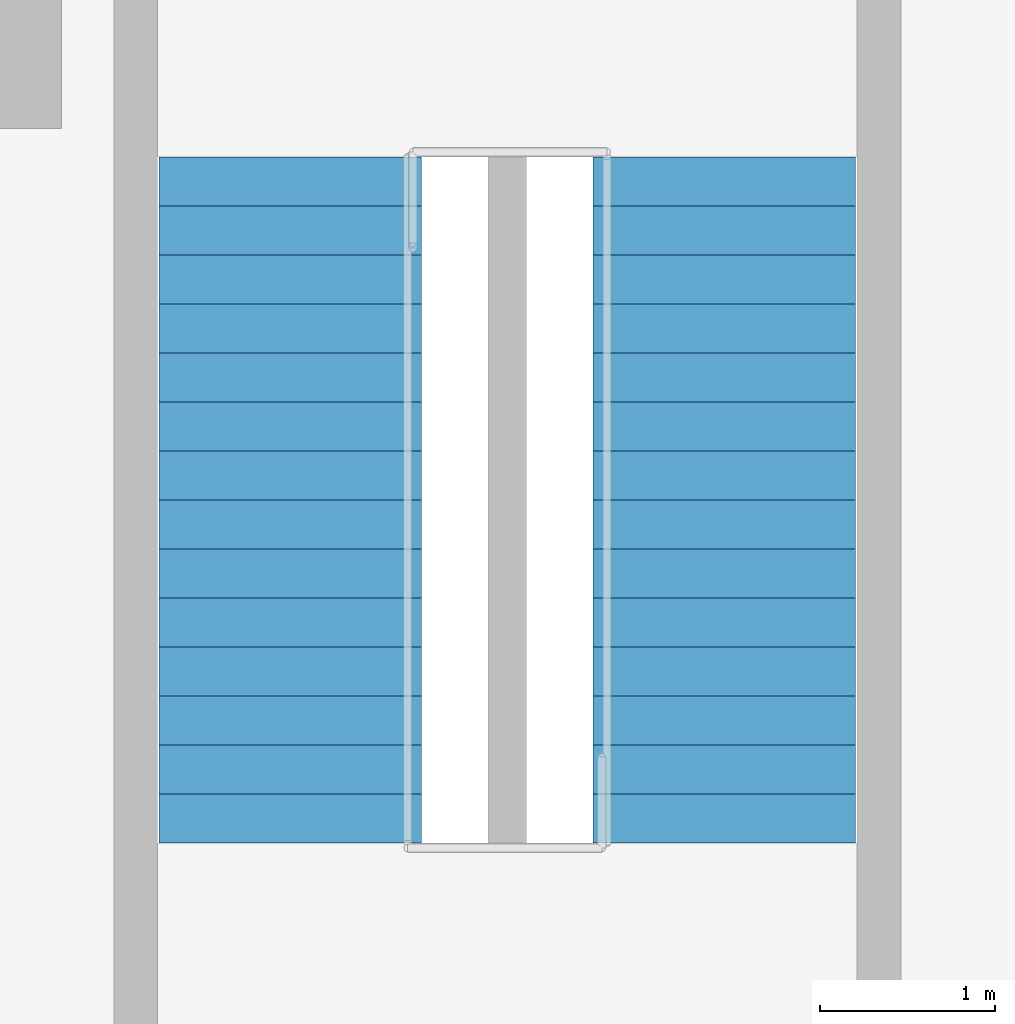
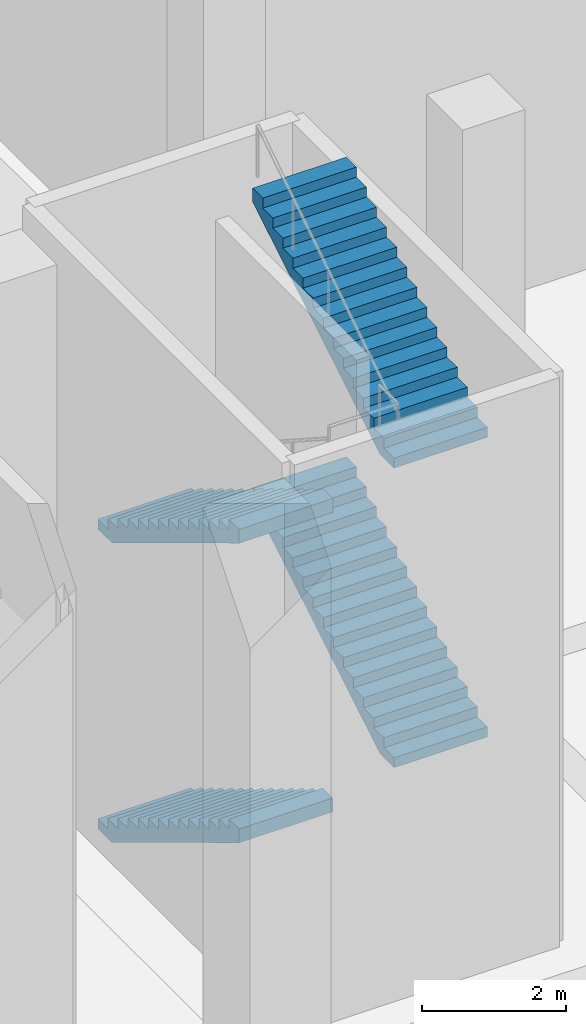
# One storey, part 75 of 80: 4 stair flights, 1 element without a shape of its own.
"""IFC4 building model written with IfcOpenShell, lengths in metres."""

import ifcopenshell
import ifcopenshell.guid

model = None  # the IFC model being written
_history = None  # IfcOwnerHistory: only IFC2X3 demands one
_inside = {}  # id of a spatial element -> (the spatial element, [elements in it])
_under = {}  # id of a project, library or spatial element -> (it, [spatial elements below it])
_declared = {}  # id of a project -> (the project, [libraries it declares])
_typed = {}  # id of a type object -> (the type object, [elements of that type])
_made_of = {}  # id of a material, layer set ... -> (it, [elements and type objects made of it])


def new_model(schema):
    """Start an empty IFC model of exactly this schema.

    Asked for "IFC4X3", IfcOpenShell would pick the latest addendum, in which some entities
    have other attributes; the version numbers below select the first issue.
    IFC2X3 requires an IfcOwnerHistory on every rooted entity: one is made here for all.
    """
    global model, _history
    if schema == "IFC4X3":
        model = ifcopenshell.file(schema_version=(4, 3, 0, 0))
    else:
        model = ifcopenshell.file(schema=schema)
    _inside.clear()
    _under.clear()
    _declared.clear()
    _typed.clear()
    _made_of.clear()
    _history = None
    if model.schema == "IFC2X3":
        org = make("IfcOrganization", Name="unknown")
        user = make(
            "IfcPersonAndOrganization",
            ThePerson=make("IfcPerson", FamilyName="unknown"),
            TheOrganization=org,
        )
        app = make(
            "IfcApplication",
            ApplicationDeveloper=org,
            Version="unknown",
            ApplicationFullName="unknown",
            ApplicationIdentifier="unknown",
        )
        _history = make(
            "IfcOwnerHistory",
            OwningUser=user,
            OwningApplication=app,
            ChangeAction="ADDED",
            CreationDate=0,
        )
    return model


def make(cls, **values):
    """One entity of the class cls with the attributes given. An attribute that is None is left unset."""
    return model.create_entity(
        cls, **{name: value for name, value in values.items() if value is not None}
    )


def rooted(cls, **values):
    """An entity with a GlobalId (a new one), such as an element, a storey or a relation."""
    return make(cls, GlobalId=ifcopenshell.guid.new(), OwnerHistory=_history, **values)


def si_unit(unit_type, name, prefix=None):
    """IfcSIUnit, for example si_unit("LENGTHUNIT", "METRE", prefix="MILLI")."""
    return make("IfcSIUnit", UnitType=unit_type, Prefix=prefix, Name=name)


def assignment(units):
    """IfcUnitAssignment: the units of a project."""
    return None if units is None else make("IfcUnitAssignment", Units=units)


def point(xyz):
    """IfcCartesianPoint."""
    return None if xyz is None else make("IfcCartesianPoint", Coordinates=xyz)


def direction(xyz):
    """IfcDirection."""
    return None if xyz is None else make("IfcDirection", DirectionRatios=xyz)


def frame(location, z_axis=None, x_axis=None):
    """IfcAxis2Placement3D, a coordinate frame: its origin and axes. An axis left out is left unset."""
    return make(
        "IfcAxis2Placement3D",
        Location=point(location),
        Axis=direction(z_axis),
        RefDirection=direction(x_axis),
    )


def origin():
    """The frame at (0, 0, 0) with its axes left unset."""
    return frame((0.0, 0.0, 0.0))


def place(relative_to, where):
    """IfcLocalPlacement: puts the frame where relative to a parent placement (None: the world)."""
    return make(
        "IfcLocalPlacement", PlacementRelTo=relative_to, RelativePlacement=where
    )


def context(
    kind, dimensions, precision=None, world=None, true_north=None, identifier=None
):
    """IfcGeometricRepresentationContext, for example the 3D "Model" context."""
    return make(
        "IfcGeometricRepresentationContext",
        ContextIdentifier=identifier,
        ContextType=kind,
        CoordinateSpaceDimension=dimensions,
        Precision=precision,
        WorldCoordinateSystem=world,
        TrueNorth=true_north,
    )


def subcontext(parent, identifier, kind, view, scale=None):
    """IfcGeometricRepresentationSubContext, for example "Body" below "Model"."""
    return make(
        "IfcGeometricRepresentationSubContext",
        ContextIdentifier=identifier,
        ContextType=kind,
        ParentContext=parent,
        TargetScale=scale,
        TargetView=view,
    )


def project(units=None, contexts=None):
    """IfcProject with its units and contexts."""
    return rooted(
        "IfcProject",
        Name="project",
        RepresentationContexts=contexts,
        UnitsInContext=assignment(units),
    )


def spatial(cls, under=None, at=None, **own):
    """A site, building, storey or space (cls), placed at a placement, below another one or the project."""
    s = rooted(cls, ObjectPlacement=at, **own)
    if under is not None:
        _under.setdefault(under.id(), (under, []))[1].append(s)
    return s


def polyline(points):
    """IfcPolyline through the points."""
    return make("IfcPolyline", Points=[point(p) for p in points])


def outline(outer, holes=None, kind="AREA"):
    """IfcArbitraryClosedProfileDef: a profile drawn as a closed curve; with holes, ...WithVoids."""
    if holes is None:
        return make("IfcArbitraryClosedProfileDef", ProfileType=kind, OuterCurve=outer)
    return make(
        "IfcArbitraryProfileDefWithVoids",
        ProfileType=kind,
        OuterCurve=outer,
        InnerCurves=holes,
    )


def extrude(swept, where, along, depth):
    """IfcExtrudedAreaSolid: the profile swept, set in the frame where, extruded along a direction by depth."""
    return make(
        "IfcExtrudedAreaSolid",
        SweptArea=swept,
        Position=where,
        ExtrudedDirection=direction(along),
        Depth=depth,
    )


def shape(context_of_items, identifier, shape_type, items):
    """IfcShapeRepresentation: the items that make up one representation, for example the "Body"."""
    return make(
        "IfcShapeRepresentation",
        ContextOfItems=context_of_items,
        RepresentationIdentifier=identifier,
        RepresentationType=shape_type,
        Items=items,
    )


def material(Name=None, Category=None):
    """IfcMaterial."""
    return make("IfcMaterial", Name=Name, Category=Category)


def made_of(thing, what):
    """Note that an element or type object is made of a material, layer set ...; save() writes the relation."""
    if what is not None:
        _made_of.setdefault(what.id(), (what, []))[1].append(thing)
    return thing


def type_object(cls, material=None, **own):
    """A type object (cls), such as IfcWallType, which elements share."""
    return made_of(rooted(cls, **own), material)


def element(
    cls,
    number,
    at=None,
    inside=None,
    cuts=None,
    type_object=None,
    material=None,
    context=None,
    identifier="Body",
    shape_type=None,
    held_by="IfcProductDefinitionShape",
    body=None,
    shapes=None,
    **own,
):
    """One element of the class cls, such as IfcWall. Its Tag is "e" and its number.

    at: its placement. inside: the storey or other place that contains it. cuts: it is an
    opening in that element (IfcRelVoidsElement). A single representation is given by context,
    identifier, shape_type and body (its items); several are given by shapes. held_by: the class
    of the entity that holds the representations. save() writes the other relations.
    """
    e = rooted(cls, Tag="e%d" % number, ObjectPlacement=at, **own)
    if body is not None:
        shapes = [shape(context, identifier, shape_type, body)]
    if shapes is not None:
        e.Representation = make(held_by, Representations=shapes)
    if inside is not None:
        _inside.setdefault(inside.id(), (inside, []))[1].append(e)
    if cuts is not None:
        rooted(
            "IfcRelVoidsElement", RelatingBuildingElement=cuts, RelatedOpeningElement=e
        )
    if type_object is not None:
        _typed.setdefault(type_object.id(), (type_object, []))[1].append(e)
    return made_of(e, material)


def aggregate(whole, parts):
    """IfcRelAggregates: a whole, such as a stair, and the parts it consists of."""
    return rooted("IfcRelAggregates", RelatingObject=whole, RelatedObjects=parts)


def save(model, path):
    """Write the relations noted so far, then the file.

    IfcRelAggregates (storeys below a building ...), IfcRelContainedInSpatialStructure (elements
    in a storey), IfcRelDefinesByType, IfcRelAssociatesMaterial and IfcRelDeclares: one each for
    every whole, place, type object, material and project.
    """
    for whole, parts in _under.values():
        aggregate(whole, parts)
    for where, things in _inside.values():
        rooted(
            "IfcRelContainedInSpatialStructure",
            RelatedElements=things,
            RelatingStructure=where,
        )
    for kind, things in _typed.values():
        rooted("IfcRelDefinesByType", RelatedObjects=things, RelatingType=kind)
    for what, things in _made_of.values():
        rooted("IfcRelAssociatesMaterial", RelatedObjects=things, RelatingMaterial=what)
    for by, libraries in _declared.values():
        rooted("IfcRelDeclares", RelatingContext=by, RelatedDefinitions=libraries)
    model.write(path)


model = new_model("IFC4")

# Units and contexts
model_context = context("Model", 3, precision=1e-05, world=origin(), true_north=direction((0.0, 1.0)))
body_context = subcontext(model_context, "Body", "Model", "MODEL_VIEW")
ifc_project = project(units=[si_unit("LENGTHUNIT", "METRE"), si_unit("AREAUNIT", "SQUARE_METRE"), si_unit("VOLUMEUNIT", "CUBIC_METRE"), si_unit("PLANEANGLEUNIT", "RADIAN"), si_unit("MASSUNIT", "GRAM", prefix="KILO")], contexts=[model_context])

# Site, building, storey
site_placement = place(None, origin())
site = spatial("IfcSite", under=ifc_project, at=site_placement, CompositionType="ELEMENT")
building_placement = place(site_placement, origin())
building = spatial("IfcBuilding", under=site, at=building_placement, Name="Akrevak Sports Hall", CompositionType="ELEMENT")
storey_placement = place(building_placement, frame((0.0, 0.0, 14.0)))
storey = spatial("IfcBuildingStorey", under=building, at=storey_placement, Name="L03", CompositionType="ELEMENT", Elevation=14.0)

# Stair, stair flights
ifc_material = material(Name="Concrete C40/50", Category="concrete")
stair_type = type_object("IfcStairType", Name="ARC-STR-DOG-1015", PredefinedType="HALF_TURN_STAIR", material=ifc_material)
stair_placement = place(storey_placement, origin())
stair = element("IfcStair", 1, at=stair_placement, inside=storey, type_object=stair_type, Name="East Transfer Exit Stair ST11 (L03 to L04)", PredefinedType="HALF_TURN_STAIR")
stair_flight_type = type_object("IfcStairFlightType", Name="ARC-FLT-165-169", PredefinedType="STRAIGHT", material=ifc_material)
stair_flight_1_placement = place(storey_placement, frame((109.81005859375, 61.735107421875, 0.0), z_axis=(0.0, 0.0, 1.0), x_axis=(0.0, -1.0, 0.0)))
stair_flight_1 = element("IfcStairFlight", 2, at=stair_flight_1_placement, type_object=stair_flight_type, Name="Stair ST11 Flight 1 (L03)", NumberOfRisers=15, NumberOfTreads=14, PredefinedType="STRAIGHT", RiserHeight=0.169167, TreadLength=0.28, context=body_context, shape_type="SweptSolid", body=[
    extrude(outline(polyline([(0.0, 0.0), (0.0, 0.169189453125), (0.280029296875, 0.169189453125), (0.280029296875, 0.33837890625), (0.56005859375, 0.33837890625), (0.56005859375, 0.507568359375), (0.840087890625, 0.507568359375), (0.840087890625, 0.6767578125), (1.1201171875, 0.6767578125), (1.1201171875, 0.845947265625), (1.39990234375, 0.845947265625), (1.39990234375, 1.014892578125), (1.679931640625, 1.014892578125), (1.679931640625, 1.18408203125), (1.9599609375, 1.18408203125), (1.9599609375, 1.353271484375), (2.239990234375, 1.353271484375), (2.239990234375, 1.5224609375), (2.52001953125, 1.5224609375), (2.52001953125, 1.691650390625), (2.800048828125, 1.691650390625), (2.800048828125, 1.86083984375), (3.080078125, 1.86083984375), (3.080078125, 2.030029296875), (3.360107421875, 2.030029296875), (3.360107421875, 2.19921875), (3.639892578125, 2.19921875), (3.639892578125, 2.368408203125), (3.919921875, 2.368408203125), (3.919921875, 2.53759765625), (3.919921875, 2.134765625), (0.38671875, 0.0), (0.0, 0.0)])), frame((0.0, 0.75, 0.0), z_axis=(0.0, -1.0, 0.0), x_axis=(1.0, 0.0, 0.0)), (0.0, 0.0, 1.0), 1.5),
])
stair_flight_2_placement = place(storey_placement, frame((112.2900390625, 57.81494140625, 2.53759765625), z_axis=(0.0, 0.0, 1.0), x_axis=(0.0, 1.0, 0.0)))
stair_flight_2 = element("IfcStairFlight", 3, at=stair_flight_2_placement, type_object=stair_flight_type, Name="Stair ST11 Flight 2 (L03)", NumberOfRisers=15, NumberOfTreads=14, PredefinedType="STRAIGHT", RiserHeight=0.169167, TreadLength=0.28, context=body_context, shape_type="SweptSolid", body=[
    extrude(outline(polyline([(0.0, 0.0), (0.0, 0.169189453125), (0.280029296875, 0.169189453125), (0.280029296875, 0.33837890625), (0.56005859375, 0.33837890625), (0.56005859375, 0.507568359375), (0.840087890625, 0.507568359375), (0.840087890625, 0.6767578125), (1.1201171875, 0.6767578125), (1.1201171875, 0.845947265625), (1.39990234375, 0.845947265625), (1.39990234375, 1.014892578125), (1.679931640625, 1.014892578125), (1.679931640625, 1.18408203125), (1.9599609375, 1.18408203125), (1.9599609375, 1.353271484375), (2.239990234375, 1.353271484375), (2.239990234375, 1.5224609375), (2.52001953125, 1.5224609375), (2.52001953125, 1.691650390625), (2.800048828125, 1.691650390625), (2.800048828125, 1.86083984375), (3.080078125, 1.86083984375), (3.080078125, 2.030029296875), (3.360107421875, 2.030029296875), (3.360107421875, 2.19921875), (3.639892578125, 2.19921875), (3.639892578125, 2.368408203125), (3.919921875, 2.368408203125), (3.919921875, 2.53759765625), (3.919921875, 2.134765625), (0.38671875, 0.0), (0.0, 0.0)])), frame((0.0, 0.75, 0.0), z_axis=(0.0, -1.0, 0.0), x_axis=(1.0, 0.0, 0.0)), (0.0, 0.0, 1.0), 1.5),
])
stair_flight_3_placement = place(storey_placement, frame((109.81005859375, 61.735107421875, 5.074951171875), z_axis=(0.0, 0.0, 1.0), x_axis=(0.0, -1.0, 0.0)))
stair_flight_3 = element("IfcStairFlight", 4, at=stair_flight_3_placement, type_object=stair_flight_type, Name="Stair ST11 Flight 3 (L03)", NumberOfRisers=15, NumberOfTreads=14, PredefinedType="STRAIGHT", RiserHeight=0.169167, TreadLength=0.28, context=body_context, shape_type="SweptSolid", body=[
    extrude(outline(polyline([(0.0, 0.0), (0.0, 0.169189453125), (0.280029296875, 0.169189453125), (0.280029296875, 0.33837890625), (0.56005859375, 0.33837890625), (0.56005859375, 0.507568359375), (0.840087890625, 0.507568359375), (0.840087890625, 0.6767578125), (1.1201171875, 0.6767578125), (1.1201171875, 0.845947265625), (1.39990234375, 0.845947265625), (1.39990234375, 1.014892578125), (1.679931640625, 1.014892578125), (1.679931640625, 1.18408203125), (1.9599609375, 1.18408203125), (1.9599609375, 1.353271484375), (2.239990234375, 1.353271484375), (2.239990234375, 1.5224609375), (2.52001953125, 1.5224609375), (2.52001953125, 1.691650390625), (2.800048828125, 1.691650390625), (2.800048828125, 1.86083984375), (3.080078125, 1.86083984375), (3.080078125, 2.030029296875), (3.360107421875, 2.030029296875), (3.360107421875, 2.19921875), (3.639892578125, 2.19921875), (3.639892578125, 2.368408203125), (3.919921875, 2.368408203125), (3.919921875, 2.53759765625), (3.919921875, 2.134765625), (0.38671875, 0.0), (0.0, 0.0)])), frame((0.0, 0.75, 0.0), z_axis=(0.0, -1.0, 0.0), x_axis=(1.0, 0.0, 0.0)), (0.0, 0.0, 1.0), 1.5),
])
stair_flight_4_placement = place(storey_placement, frame((112.2900390625, 57.81494140625, 7.612548828125), z_axis=(0.0, 0.0, 1.0), x_axis=(0.0, 1.0, 0.0)))
stair_flight_4 = element("IfcStairFlight", 5, at=stair_flight_4_placement, type_object=stair_flight_type, Name="Stair ST11 Flight 4 (L03)", NumberOfRisers=15, NumberOfTreads=14, PredefinedType="STRAIGHT", RiserHeight=0.169167, TreadLength=0.28, context=body_context, shape_type="SweptSolid", body=[
    extrude(outline(polyline([(0.0, 0.0), (0.0, 0.169189453125), (0.280029296875, 0.169189453125), (0.280029296875, 0.33837890625), (0.56005859375, 0.33837890625), (0.56005859375, 0.507568359375), (0.840087890625, 0.507568359375), (0.840087890625, 0.6767578125), (1.1201171875, 0.6767578125), (1.1201171875, 0.845947265625), (1.39990234375, 0.845947265625), (1.39990234375, 1.014892578125), (1.679931640625, 1.014892578125), (1.679931640625, 1.18408203125), (1.9599609375, 1.18408203125), (1.9599609375, 1.353271484375), (2.239990234375, 1.353271484375), (2.239990234375, 1.5224609375), (2.52001953125, 1.5224609375), (2.52001953125, 1.691650390625), (2.800048828125, 1.691650390625), (2.800048828125, 1.86083984375), (3.080078125, 1.86083984375), (3.080078125, 2.030029296875), (3.360107421875, 2.030029296875), (3.360107421875, 2.19921875), (3.639892578125, 2.19921875), (3.639892578125, 2.368408203125), (3.919921875, 2.368408203125), (3.919921875, 2.53759765625), (3.919921875, 2.134765625), (0.38671875, 0.0), (0.0, 0.0)])), frame((0.0, 0.75, 0.0), z_axis=(0.0, -1.0, 0.0), x_axis=(1.0, 0.0, 0.0)), (0.0, 0.0, 1.0), 1.5),
])
aggregate(stair, [stair_flight_1, stair_flight_2, stair_flight_3, stair_flight_4])

save(model, "model.ifc")
